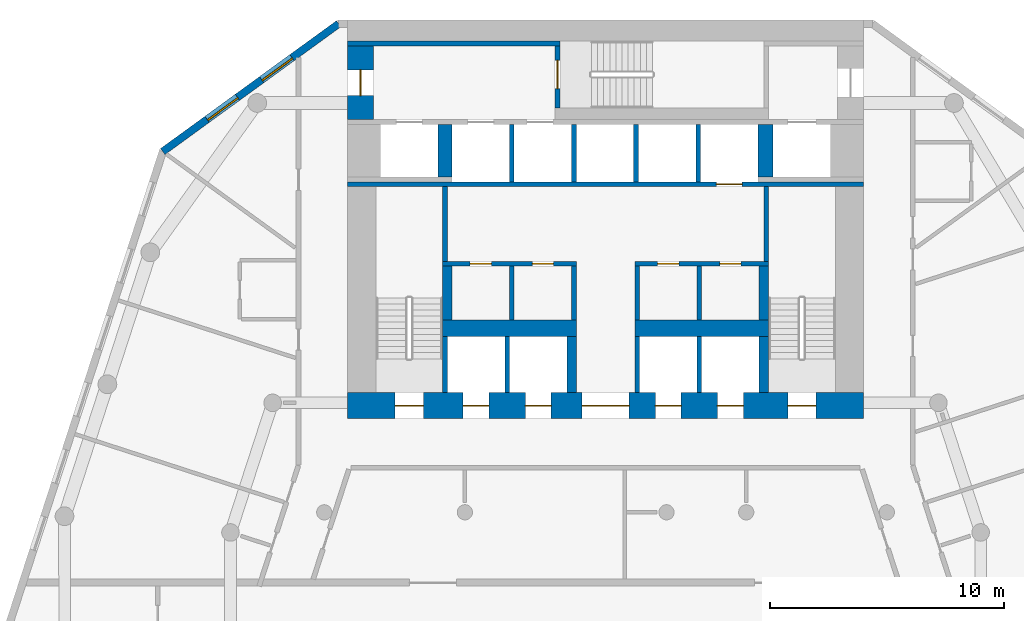
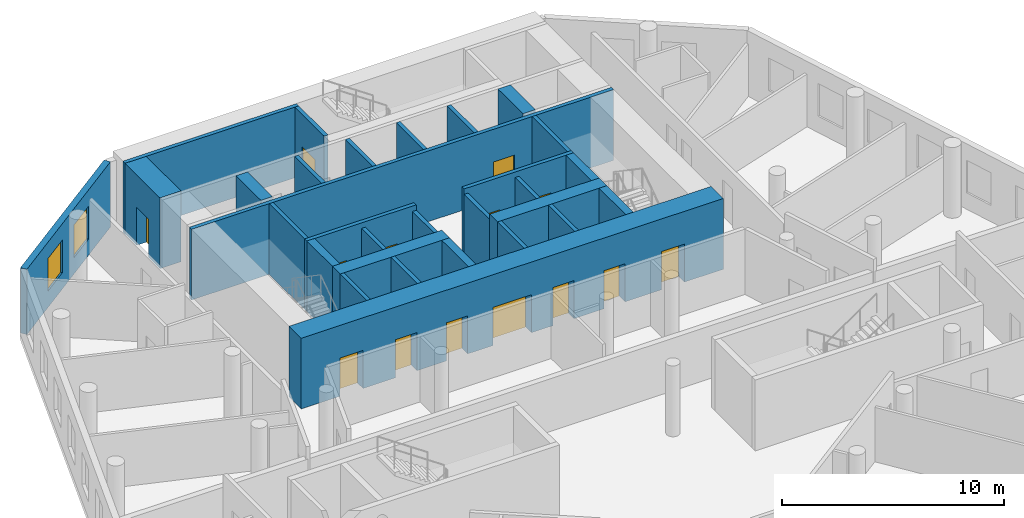
# One storey, part 5 of 9: 30 walls, 14 doors, 2 windows, 16 openings.
"""IFC4 building model written with IfcOpenShell, lengths in metres."""

from ifc_helpers import new_model, si_unit, direction, frame, frame_2d, origin, place, context, subcontext, project, spatial, rectangle, extrude, material, layer, layer_set, type_object, element, fill, save


model = new_model("IFC4")

# Units and contexts
model_context = context("Model", 3, precision=1e-05, world=origin(), true_north=direction((0.0, 1.0)))
body_context = subcontext(model_context, "Body", "Model", "MODEL_VIEW")
ifc_project = project(units=[si_unit("LENGTHUNIT", "METRE"), si_unit("AREAUNIT", "SQUARE_METRE"), si_unit("VOLUMEUNIT", "CUBIC_METRE"), si_unit("PLANEANGLEUNIT", "RADIAN"), si_unit("MASSUNIT", "GRAM", prefix="KILO")], contexts=[model_context])

# Site, building, storey
site_placement = place(None, origin())
site = spatial("IfcSite", under=ifc_project, at=site_placement, CompositionType="ELEMENT")
building_placement = place(site_placement, origin())
building = spatial("IfcBuilding", under=site, at=building_placement, Name="White Candle Pilgrim Tower", CompositionType="ELEMENT")
storey_placement = place(building_placement, frame((0.0, 0.0, 98.60009765625)))
storey = spatial("IfcBuildingStorey", under=building, at=storey_placement, Name="L21", CompositionType="ELEMENT", Elevation=98.60009765625)

# Wall, opening, door
ifc_material_1 = material(Name="Concrete C60/75", Category="concrete")
ifc_layer_1 = layer(ifc_material_1, 1.10009765625)
ifc_layer_set_1 = layer_set([ifc_layer_1], Name="Core wall 1100 mm Concrete C60/75")
wall_type_1 = type_object("IfcWallType", Name="Core wall 1100 mm Concrete C60/75", PredefinedType="SHEAR", material=ifc_layer_set_1)
wall_1_placement = place(storey_placement, frame((59.550048828125, 83.75, 0.0), z_axis=(0.0, 0.0, 1.0), x_axis=(0.0, 1.0, 0.0)))
wall_1 = element("IfcWall", 1, at=wall_1_placement, inside=storey, type_object=wall_type_1, Name="WL-L21-C44", PredefinedType="SHEAR", context=body_context, shape_type="SweptSolid", body=[
    extrude(rectangle(XDim=3.14990234375, YDim=1.10009765625, at=frame_2d((1.574951171875, 0.0))), origin(), (0.0, 0.0, 1.0), 3.89990234375),
])
opening_1_placement = place(wall_1_placement, frame((1.02490234375, 0.0, 0.0)))
opening_1 = element("IfcOpeningElement", 2, at=opening_1_placement, cuts=wall_1, Name="Opening T06-005", PredefinedType="OPENING", context=body_context, shape_type="SweptSolid", body=[
    extrude(rectangle(XDim=1.10009765625, YDim=2.10009765625, at=frame_2d((0.550048828125, 1.050048828125))), frame((0.0, 0.56005859375, 0.0), z_axis=(0.0, -1.0, 0.0), x_axis=(1.0, 0.0, 0.0)), (0.0, 0.0, 1.0), 1.1201171875),
])
ifc_material_2 = material(Name="Steel door leaf", Category="steel")
door_type_1 = type_object("IfcDoorType", Name="Fire door 1100 x 2100 EI 60", OperationType="NOTDEFINED", PredefinedType="DOOR", material=ifc_material_2)
door_1_placement = place(opening_1_placement, origin())
door_1 = element("IfcDoor", 3, at=door_1_placement, inside=storey, type_object=door_type_1, Name="Door T06-005", OperationType="SINGLE_SWING_LEFT", OverallHeight=2.10009765625, OverallWidth=1.10009765625, PredefinedType="DOOR", context=body_context, shape_type="SweptSolid", body=[
    extrude(rectangle(XDim=1.10009765625, YDim=2.10009765625, at=frame_2d((0.550048828125, 1.050048828125))), frame((0.0, 0.02490234375, 0.0), z_axis=(0.0, -1.0, 0.0), x_axis=(1.0, 0.0, 0.0)), (0.0, 0.0, 1.0), 0.050048828125),
])
fill(opening_1, door_1)

# Wall, openings, windows
ifc_material_3 = material(Name="Precast concrete C40/50", Category="concrete")
ifc_layer_2 = layer(ifc_material_3, 0.320068359375)
ifc_layer_set_2 = layer_set([ifc_layer_2], Name="Facade wall EW1 precast concrete C40/50 pier wall with timber-lined reveals")
wall_type_2 = type_object("IfcWallType", Name="Facade wall EW1 precast concrete C40/50 pier wall with timber-lined reveals", PredefinedType="SOLIDWALL", material=ifc_layer_set_2)
wall_2_placement = place(storey_placement, frame((58.614990234375, 87.840087890625, 0.0), z_axis=(0.0, 0.0, 1.0), x_axis=(-0.809009213142, -0.587795962092, 0.0)))
wall_2 = element("IfcWall", 4, at=wall_2_placement, inside=storey, type_object=wall_type_2, Name="Facade wall L21 NW chamfer", PredefinedType="SOLIDWALL", context=body_context, shape_type="SweptSolid", body=[
    extrude(rectangle(XDim=9.27392578125, YDim=0.320068359375, at=frame_2d((4.636962890625, 0.0))), origin(), (0.0, 0.0, 1.0), 3.599853515625),
])
opening_2_placement = place(wall_2_placement, frame((2.459716796875, 0.0, 0.89990234375)))
opening_2 = element("IfcOpeningElement", 5, at=opening_2_placement, cuts=wall_2, Name="Opening W2", PredefinedType="OPENING", context=body_context, shape_type="SweptSolid", body=[
    extrude(rectangle(XDim=1.60009765625, YDim=1.800048828125, at=frame_2d((0.800048828125, 0.89990234375))), frame((0.0, 0.169921875, 0.0), z_axis=(0.0, -1.0, 0.0), x_axis=(1.0, 0.0, 0.0)), (0.0, 0.0, 1.0), 0.340087890625),
])
opening_3_placement = place(wall_2_placement, frame((5.3369140625, 0.0, 0.89990234375)))
opening_3 = element("IfcOpeningElement", 6, at=opening_3_placement, cuts=wall_2, Name="Opening W2", PredefinedType="OPENING", context=body_context, shape_type="SweptSolid", body=[
    extrude(rectangle(XDim=1.60009765625, YDim=1.800048828125, at=frame_2d((0.800048828125, 0.89990234375))), frame((0.0, 0.169921875, 0.0), z_axis=(0.0, -1.0, 0.0), x_axis=(1.0, 0.0, 0.0)), (0.0, 0.0, 1.0), 0.340087890625),
])
ifc_material_4 = material(Name="Timber frame with triple glazing", Category="wood")
window_type = type_object("IfcWindowType", Name="Window W2 1600x1800 timber frame triple glazing", PartitioningType="SINGLE_PANEL", PredefinedType="WINDOW", material=ifc_material_4)
window_1_placement = place(opening_2_placement, origin())
window_1 = element("IfcWindow", 7, at=window_1_placement, inside=storey, type_object=window_type, Name="Window W2 L21 NW chamfer 1", OverallHeight=1.800048828125, OverallWidth=1.60009765625, PartitioningType="SINGLE_PANEL", PredefinedType="WINDOW", context=body_context, shape_type="SweptSolid", body=[
    extrude(rectangle(XDim=1.60009765625, YDim=1.800048828125, at=frame_2d((0.800048828125, 0.89990234375))), frame((0.0, 0.070068359375, 0.0), z_axis=(0.0, -1.0, 0.0), x_axis=(1.0, 0.0, 0.0)), (0.0, 0.0, 1.0), 0.06005859375),
])
fill(opening_2, window_1)
window_2_placement = place(opening_3_placement, origin())
window_2 = element("IfcWindow", 8, at=window_2_placement, inside=storey, type_object=window_type, Name="Window W2 L21 NW chamfer 2", OverallHeight=1.800048828125, OverallWidth=1.60009765625, PartitioningType="SINGLE_PANEL", PredefinedType="WINDOW", context=body_context, shape_type="SweptSolid", body=[
    extrude(rectangle(XDim=1.60009765625, YDim=1.800048828125, at=frame_2d((0.800048828125, 0.89990234375))), frame((0.0, 0.070068359375, 0.0), z_axis=(0.0, -1.0, 0.0), x_axis=(1.0, 0.0, 0.0)), (0.0, 0.0, 1.0), 0.06005859375),
])
fill(opening_3, window_2)

# Walls
ifc_material_5 = material(Name="Gypsum board on steel studs", Category="steel")
ifc_layer_3 = layer(ifc_material_5, 0.199951171875)
ifc_layer_set_3 = layer_set([ifc_layer_3], Name="Lobby wall 200 mm EI 60")
wall_type_3 = type_object("IfcWallType", Name="Lobby wall 200 mm EI 60", PredefinedType="PARTITIONING", material=ifc_layer_set_3)
for number, where, z_axis, x_axis, name in (
    (9, (66.0, 75.199951171875, 0.0), (0.0, 0.0, 1.0), (0.0, 1.0, 0.0), "WL-L21-C23"),
    (10, (68.64990234375, 75.199951171875, 0.0), (0.0, 0.0, 1.0), (0.0, 1.0, 0.0), "WL-L21-C24"),
    (11, (71.35009765625, 75.199951171875, 0.0), (0.0, 0.0, 1.0), (0.0, 1.0, 0.0), "WL-L21-C25"),
    (12, (74.0, 75.199951171875, 0.0), (0.0, 0.0, 1.0), (0.0, 1.0, 0.0), "WL-L21-C26"),
):
    element("IfcWall", number, at=place(storey_placement, frame(where, z_axis=z_axis, x_axis=x_axis)), inside=storey, type_object=wall_type_3, Name=name, PredefinedType="PARTITIONING", context=body_context, shape_type="SweptSolid", body=[
        extrude(rectangle(XDim=2.300048828125, YDim=0.199951171875, at=frame_2d((1.14990234375, 0.0))), origin(), (0.0, 0.0, 1.0), 3.599853515625),
    ])
ifc_layer_4 = layer(ifc_material_1, 0.199951171875)
ifc_layer_set_4 = layer_set([ifc_layer_4], Name="Shaft wall 200 mm Concrete C60/75")
wall_type_4 = type_object("IfcWallType", Name="Shaft wall 200 mm Concrete C60/75", PredefinedType="SHEAR", material=ifc_layer_set_4)
for number, where, z_axis, x_axis, name in (
    (13, (65.800048828125, 72.10009765625, 0.0), (0.0, 0.0, 1.0), (0.0, 1.0, 0.0), "WL-L21-C14"),
    (14, (71.35009765625, 72.10009765625, 0.0), (0.0, 0.0, 1.0), (0.0, 1.0, 0.0), "WL-L21-C16"),
    (15, (74.0, 72.10009765625, 0.0), (0.0, 0.0, 1.0), (0.0, 1.0, 0.0), "WL-L21-C17"),
):
    element("IfcWall", number, at=place(storey_placement, frame(where, z_axis=z_axis, x_axis=x_axis)), inside=storey, type_object=wall_type_4, Name=name, PredefinedType="SHEAR", context=body_context, shape_type="SweptSolid", body=[
        extrude(rectangle(XDim=2.39990234375, YDim=0.199951171875, at=frame_2d((1.199951171875, 0.0))), origin(), (0.0, 0.0, 1.0), 3.89990234375),
    ])
for number, where, z_axis, x_axis, name in (
    (16, (66.0, 81.10009765625, 0.0), (0.0, 0.0, 1.0), (0.0, 1.0, 0.0), "WL-L21-C34"),
    (17, (68.64990234375, 81.10009765625, 0.0), (0.0, 0.0, 1.0), (0.0, 1.0, 0.0), "WL-L21-C35"),
    (18, (71.300048828125, 81.10009765625, 0.0), (0.0, 0.0, 1.0), (0.0, 1.0, 0.0), "WL-L21-C36"),
    (19, (73.949951171875, 81.10009765625, 0.0), (0.0, 0.0, 1.0), (0.0, 1.0, 0.0), "WL-L21-C37"),
):
    element("IfcWall", number, at=place(storey_placement, frame(where, z_axis=z_axis, x_axis=x_axis)), inside=storey, type_object=wall_type_4, Name=name, PredefinedType="SHEAR", context=body_context, shape_type="SweptSolid", body=[
        extrude(rectangle(XDim=2.449951171875, YDim=0.199951171875, at=frame_2d((1.22509765625, 0.0))), origin(), (0.0, 0.0, 1.0), 3.89990234375),
    ])
ifc_layer_5 = layer(ifc_material_1, 0.39990234375)
ifc_layer_set_5 = layer_set([ifc_layer_5], Name="Shaft wall 400 mm Concrete C60/75")
wall_type_5 = type_object("IfcWallType", Name="Shaft wall 400 mm Concrete C60/75", PredefinedType="SHEAR", material=ifc_layer_set_5)
wall_3_placement = place(storey_placement, frame((68.550048828125, 72.10009765625, 0.0), z_axis=(0.0, 0.0, 1.0), x_axis=(0.0, 1.0, 0.0)))
element("IfcWall", 20, at=wall_3_placement, inside=storey, type_object=wall_type_5, Name="WL-L21-C15", PredefinedType="SHEAR", context=body_context, shape_type="SweptSolid", body=[
    extrude(rectangle(XDim=2.39990234375, YDim=0.39990234375, at=frame_2d((1.199951171875, 0.0))), origin(), (0.0, 0.0, 1.0), 3.89990234375),
])
ifc_layer_6 = layer(ifc_material_1, 0.60009765625)
ifc_layer_set_6 = layer_set([ifc_layer_6], Name="Shaft wall 600 mm Concrete C60/75")
wall_type_6 = type_object("IfcWallType", Name="Shaft wall 600 mm Concrete C60/75", PredefinedType="SHEAR", material=ifc_layer_set_6)
wall_4_placement = place(storey_placement, frame((63.14990234375, 81.300048828125, 0.0), z_axis=(0.0, 0.0, 1.0), x_axis=(0.0, 1.0, 0.0)))
element("IfcWall", 21, at=wall_4_placement, inside=storey, type_object=wall_type_6, Name="WL-L21-C40", PredefinedType="SHEAR", context=body_context, shape_type="SweptSolid", body=[
    extrude(rectangle(XDim=2.25, YDim=0.60009765625, at=frame_2d((1.125, 0.0))), origin(), (0.0, 0.0, 1.0), 3.89990234375),
])
ifc_layer_7 = layer(ifc_material_1, 0.64990234375)
ifc_layer_set_7 = layer_set([ifc_layer_7], Name="Shaft wall 650 mm Concrete C60/75")
wall_type_7 = type_object("IfcWallType", Name="Shaft wall 650 mm Concrete C60/75", PredefinedType="SHEAR", material=ifc_layer_set_7)
wall_5_placement = place(storey_placement, frame((76.824951171875, 81.300048828125, 0.0), z_axis=(0.0, 0.0, 1.0), x_axis=(0.0, 1.0, 0.0)))
element("IfcWall", 22, at=wall_5_placement, inside=storey, type_object=wall_type_7, Name="WL-L21-C41", PredefinedType="SHEAR", context=body_context, shape_type="SweptSolid", body=[
    extrude(rectangle(XDim=2.25, YDim=0.64990234375, at=frame_2d((1.125, 0.0))), origin(), (0.0, 0.0, 1.0), 3.89990234375),
])

# Wall, openings, doors
ifc_layer_8 = layer(ifc_material_1, 1.10009765625)
ifc_layer_set_8 = layer_set([ifc_layer_8], Name="Stair shaft wall 1100 mm Concrete C60/75")
wall_type_8 = type_object("IfcWallType", Name="Stair shaft wall 1100 mm Concrete C60/75", PredefinedType="SHEAR", material=ifc_layer_set_8)
wall_6_placement = place(storey_placement, frame((59.0, 71.550048828125, 0.0), z_axis=(0.0, 0.0, 1.0), x_axis=(1.0, 0.0, 0.0)))
wall_6 = element("IfcWall", 23, at=wall_6_placement, inside=storey, type_object=wall_type_8, Name="WL-L21-C11", PredefinedType="SHEAR", context=body_context, shape_type="SweptSolid", body=[
    extrude(rectangle(XDim=22.0, YDim=1.10009765625, at=frame_2d((11.0, 0.0))), origin(), (0.0, 0.0, 1.0), 3.89990234375),
])
opening_4_placement = place(wall_6_placement, frame((2.02490234375, 0.0, 0.0)))
opening_4 = element("IfcOpeningElement", 24, at=opening_4_placement, cuts=wall_6, Name="Opening T06-001", PredefinedType="OPENING", context=body_context, shape_type="SweptSolid", body=[
    extrude(rectangle(XDim=1.199951171875, YDim=2.10009765625, at=frame_2d((0.60009765625, 1.050048828125))), frame((0.0, 0.56005859375, 0.0), z_axis=(0.0, -1.0, 0.0), x_axis=(1.0, 0.0, 0.0)), (0.0, 0.0, 1.0), 1.1201171875),
])
opening_5_placement = place(wall_6_placement, frame((18.77490234375, 0.0, 0.0)))
opening_5 = element("IfcOpeningElement", 25, at=opening_5_placement, cuts=wall_6, Name="Opening T06-002", PredefinedType="OPENING", context=body_context, shape_type="SweptSolid", body=[
    extrude(rectangle(XDim=1.199951171875, YDim=2.10009765625, at=frame_2d((0.60009765625, 1.050048828125))), frame((0.0, 0.56005859375, 0.0), z_axis=(0.0, -1.0, 0.0), x_axis=(1.0, 0.0, 0.0)), (0.0, 0.0, 1.0), 1.1201171875),
])
opening_6_placement = place(wall_6_placement, frame((10.0, 0.0, 0.0)))
opening_6 = element("IfcOpeningElement", 26, at=opening_6_placement, cuts=wall_6, Name="Opening T06-004", PredefinedType="OPENING", context=body_context, shape_type="SweptSolid", body=[
    extrude(rectangle(XDim=2.0, YDim=2.10009765625, at=frame_2d((1.0, 1.050048828125))), frame((0.0, 0.56005859375, 0.0), z_axis=(0.0, -1.0, 0.0), x_axis=(1.0, 0.0, 0.0)), (0.0, 0.0, 1.0), 1.1201171875),
])
opening_7_placement = place(wall_6_placement, frame((4.925048828125, 0.0, 0.0)))
opening_7 = element("IfcOpeningElement", 27, at=opening_7_placement, cuts=wall_6, Name="Opening T06-014", PredefinedType="OPENING", context=body_context, shape_type="SweptSolid", body=[
    extrude(rectangle(XDim=1.10009765625, YDim=2.10009765625, at=frame_2d((0.550048828125, 1.050048828125))), frame((0.0, 0.56005859375, 0.0), z_axis=(0.0, -1.0, 0.0), x_axis=(1.0, 0.0, 0.0)), (0.0, 0.0, 1.0), 1.1201171875),
])
opening_8_placement = place(wall_6_placement, frame((7.574951171875, 0.0, 0.0)))
opening_8 = element("IfcOpeningElement", 28, at=opening_8_placement, cuts=wall_6, Name="Opening T06-015", PredefinedType="OPENING", context=body_context, shape_type="SweptSolid", body=[
    extrude(rectangle(XDim=1.10009765625, YDim=2.10009765625, at=frame_2d((0.550048828125, 1.050048828125))), frame((0.0, 0.56005859375, 0.0), z_axis=(0.0, -1.0, 0.0), x_axis=(1.0, 0.0, 0.0)), (0.0, 0.0, 1.0), 1.1201171875),
])
opening_9_placement = place(wall_6_placement, frame((13.125, 0.0, 0.0)))
opening_9 = element("IfcOpeningElement", 29, at=opening_9_placement, cuts=wall_6, Name="Opening T06-016", PredefinedType="OPENING", context=body_context, shape_type="SweptSolid", body=[
    extrude(rectangle(XDim=1.10009765625, YDim=2.10009765625, at=frame_2d((0.550048828125, 1.050048828125))), frame((0.0, 0.56005859375, 0.0), z_axis=(0.0, -1.0, 0.0), x_axis=(1.0, 0.0, 0.0)), (0.0, 0.0, 1.0), 1.1201171875),
])
opening_10_placement = place(wall_6_placement, frame((15.77490234375, 0.0, 0.0)))
opening_10 = element("IfcOpeningElement", 30, at=opening_10_placement, cuts=wall_6, Name="Opening T06-017", PredefinedType="OPENING", context=body_context, shape_type="SweptSolid", body=[
    extrude(rectangle(XDim=1.10009765625, YDim=2.10009765625, at=frame_2d((0.550048828125, 1.050048828125))), frame((0.0, 0.56005859375, 0.0), z_axis=(0.0, -1.0, 0.0), x_axis=(1.0, 0.0, 0.0)), (0.0, 0.0, 1.0), 1.1201171875),
])
door_type_2 = type_object("IfcDoorType", Name="Fire door 1200 x 2100 EI 60", OperationType="NOTDEFINED", PredefinedType="DOOR", material=ifc_material_2)
door_2_placement = place(opening_4_placement, frame((1.199951171875, 0.0, 0.0), z_axis=(0.0, 0.0, 1.0), x_axis=(-1.0, 0.0, 0.0)))
door_2 = element("IfcDoor", 31, at=door_2_placement, inside=storey, type_object=door_type_2, Name="Door T06-001", OperationType="SINGLE_SWING_RIGHT", OverallHeight=2.10009765625, OverallWidth=1.199951171875, PredefinedType="DOOR", context=body_context, shape_type="SweptSolid", body=[
    extrude(rectangle(XDim=1.199951171875, YDim=2.10009765625, at=frame_2d((0.60009765625, 1.050048828125))), frame((0.0, 0.02490234375, 0.0), z_axis=(0.0, -1.0, 0.0), x_axis=(1.0, 0.0, 0.0)), (0.0, 0.0, 1.0), 0.050048828125),
])
fill(opening_4, door_2)
door_3_placement = place(opening_5_placement, frame((1.199951171875, 0.0, 0.0), z_axis=(0.0, 0.0, 1.0), x_axis=(-1.0, 0.0, 0.0)))
door_3 = element("IfcDoor", 32, at=door_3_placement, inside=storey, type_object=door_type_2, Name="Door T06-002", OperationType="SINGLE_SWING_LEFT", OverallHeight=2.10009765625, OverallWidth=1.199951171875, PredefinedType="DOOR", context=body_context, shape_type="SweptSolid", body=[
    extrude(rectangle(XDim=1.199951171875, YDim=2.10009765625, at=frame_2d((0.60009765625, 1.050048828125))), frame((0.0, 0.02490234375, 0.0), z_axis=(0.0, -1.0, 0.0), x_axis=(1.0, 0.0, 0.0)), (0.0, 0.0, 1.0), 0.050048828125),
])
fill(opening_5, door_3)
door_type_3 = type_object("IfcDoorType", Name="Fire door 2000 x 2100 EI 60", OperationType="NOTDEFINED", PredefinedType="DOOR", material=ifc_material_2)
door_4_placement = place(opening_6_placement, frame((2.0, 0.0, 0.0), z_axis=(0.0, 0.0, 1.0), x_axis=(-1.0, 0.0, 0.0)))
door_4 = element("IfcDoor", 33, at=door_4_placement, inside=storey, type_object=door_type_3, Name="Door T06-004", OperationType="DOUBLE_DOOR_SINGLE_SWING", OverallHeight=2.10009765625, OverallWidth=2.0, PredefinedType="DOOR", context=body_context, shape_type="SweptSolid", body=[
    extrude(rectangle(XDim=2.0, YDim=2.10009765625, at=frame_2d((1.0, 1.050048828125))), frame((0.0, 0.02490234375, 0.0), z_axis=(0.0, -1.0, 0.0), x_axis=(1.0, 0.0, 0.0)), (0.0, 0.0, 1.0), 0.050048828125),
])
fill(opening_6, door_4)
ifc_material_6 = material(Name="Stainless steel", Category="steel")
door_type_4 = type_object("IfcDoorType", Name="Lift landing door 1100 x 2100 E 60", OperationType="DOUBLE_DOOR_SLIDING", PredefinedType="DOOR", material=ifc_material_6)
door_5_placement = place(opening_7_placement, origin())
door_5 = element("IfcDoor", 34, at=door_5_placement, inside=storey, type_object=door_type_4, Name="Door T06-014", OperationType="DOUBLE_DOOR_SLIDING", OverallHeight=2.10009765625, OverallWidth=1.10009765625, PredefinedType="DOOR", context=body_context, shape_type="SweptSolid", body=[
    extrude(rectangle(XDim=1.10009765625, YDim=2.10009765625, at=frame_2d((0.550048828125, 1.050048828125))), frame((0.0, 0.02490234375, 0.0), z_axis=(0.0, -1.0, 0.0), x_axis=(1.0, 0.0, 0.0)), (0.0, 0.0, 1.0), 0.050048828125),
])
fill(opening_7, door_5)
door_6_placement = place(opening_8_placement, origin())
door_6 = element("IfcDoor", 35, at=door_6_placement, inside=storey, type_object=door_type_4, Name="Door T06-015", OperationType="DOUBLE_DOOR_SLIDING", OverallHeight=2.10009765625, OverallWidth=1.10009765625, PredefinedType="DOOR", context=body_context, shape_type="SweptSolid", body=[
    extrude(rectangle(XDim=1.10009765625, YDim=2.10009765625, at=frame_2d((0.550048828125, 1.050048828125))), frame((0.0, 0.02490234375, 0.0), z_axis=(0.0, -1.0, 0.0), x_axis=(1.0, 0.0, 0.0)), (0.0, 0.0, 1.0), 0.050048828125),
])
fill(opening_8, door_6)
door_7_placement = place(opening_9_placement, origin())
door_7 = element("IfcDoor", 36, at=door_7_placement, inside=storey, type_object=door_type_4, Name="Door T06-016", OperationType="DOUBLE_DOOR_SLIDING", OverallHeight=2.10009765625, OverallWidth=1.10009765625, PredefinedType="DOOR", context=body_context, shape_type="SweptSolid", body=[
    extrude(rectangle(XDim=1.10009765625, YDim=2.10009765625, at=frame_2d((0.550048828125, 1.050048828125))), frame((0.0, 0.02490234375, 0.0), z_axis=(0.0, -1.0, 0.0), x_axis=(1.0, 0.0, 0.0)), (0.0, 0.0, 1.0), 0.050048828125),
])
fill(opening_9, door_7)
door_8_placement = place(opening_10_placement, origin())
door_8 = element("IfcDoor", 37, at=door_8_placement, inside=storey, type_object=door_type_4, Name="Door T06-017", OperationType="DOUBLE_DOOR_SLIDING", OverallHeight=2.10009765625, OverallWidth=1.10009765625, PredefinedType="DOOR", context=body_context, shape_type="SweptSolid", body=[
    extrude(rectangle(XDim=1.10009765625, YDim=2.10009765625, at=frame_2d((0.550048828125, 1.050048828125))), frame((0.0, 0.02490234375, 0.0), z_axis=(0.0, -1.0, 0.0), x_axis=(1.0, 0.0, 0.0)), (0.0, 0.0, 1.0), 0.050048828125),
])
fill(opening_10, door_8)

# Wall
ifc_layer_9 = layer(ifc_material_1, 0.199951171875)
ifc_layer_set_9 = layer_set([ifc_layer_9], Name="Stair shaft wall 200 mm Concrete C60/75")
wall_type_9 = type_object("IfcWallType", Name="Stair shaft wall 200 mm Concrete C60/75", PredefinedType="SHEAR", material=ifc_layer_set_9)
wall_7_placement = place(storey_placement, frame((63.14990234375, 72.10009765625, 0.0), z_axis=(0.0, 0.0, 1.0), x_axis=(0.0, 1.0, 0.0)))
element("IfcWall", 38, at=wall_7_placement, inside=storey, type_object=wall_type_9, Name="WL-L21-C13", PredefinedType="SHEAR", context=body_context, shape_type="SweptSolid", body=[
    extrude(rectangle(XDim=2.39990234375, YDim=0.199951171875, at=frame_2d((1.199951171875, 0.0))), origin(), (0.0, 0.0, 1.0), 3.89990234375),
])

# Wall, openings, doors
wall_8_placement = place(storey_placement, frame((63.050048828125, 77.60009765625, 0.0), z_axis=(0.0, 0.0, 1.0), x_axis=(1.0, 0.0, 0.0)))
wall_8 = element("IfcWall", 39, at=wall_8_placement, inside=storey, type_object=wall_type_9, Name="WL-L21-C28", PredefinedType="SHEAR", context=body_context, shape_type="SweptSolid", body=[
    extrude(rectangle(XDim=5.699951171875, YDim=0.199951171875, at=frame_2d((2.85009765625, 0.0))), origin(), (0.0, 0.0, 1.0), 3.89990234375),
])
opening_11_placement = place(wall_8_placement, frame((1.175048828125, 0.0, 0.0)))
opening_11 = element("IfcOpeningElement", 40, at=opening_11_placement, cuts=wall_8, Name="Opening T06-020", PredefinedType="OPENING", context=body_context, shape_type="SweptSolid", body=[
    extrude(rectangle(XDim=0.89990234375, YDim=2.10009765625, at=frame_2d((0.449951171875, 1.050048828125))), frame((0.0, 0.10986328125, 0.0), z_axis=(0.0, -1.0, 0.0), x_axis=(1.0, 0.0, 0.0)), (0.0, 0.0, 1.0), 0.219970703125),
])
opening_12_placement = place(wall_8_placement, frame((3.824951171875, 0.0, 0.0)))
opening_12 = element("IfcOpeningElement", 41, at=opening_12_placement, cuts=wall_8, Name="Opening T06-021", PredefinedType="OPENING", context=body_context, shape_type="SweptSolid", body=[
    extrude(rectangle(XDim=0.89990234375, YDim=2.10009765625, at=frame_2d((0.449951171875, 1.050048828125))), frame((0.0, 0.10986328125, 0.0), z_axis=(0.0, -1.0, 0.0), x_axis=(1.0, 0.0, 0.0)), (0.0, 0.0, 1.0), 0.219970703125),
])
door_type_5 = type_object("IfcDoorType", Name="Fire door 900 x 2100 EI 30", OperationType="NOTDEFINED", PredefinedType="DOOR", material=ifc_material_2)
door_9_placement = place(opening_11_placement, origin())
door_9 = element("IfcDoor", 42, at=door_9_placement, inside=storey, type_object=door_type_5, Name="Door T06-020", OperationType="SINGLE_SWING_RIGHT", OverallHeight=2.10009765625, OverallWidth=0.89990234375, PredefinedType="DOOR", context=body_context, shape_type="SweptSolid", body=[
    extrude(rectangle(XDim=0.89990234375, YDim=2.10009765625, at=frame_2d((0.449951171875, 1.050048828125))), frame((0.0, 0.02490234375, 0.0), z_axis=(0.0, -1.0, 0.0), x_axis=(1.0, 0.0, 0.0)), (0.0, 0.0, 1.0), 0.050048828125),
])
fill(opening_11, door_9)
door_10_placement = place(opening_12_placement, origin())
door_10 = element("IfcDoor", 43, at=door_10_placement, inside=storey, type_object=door_type_5, Name="Door T06-021", OperationType="SINGLE_SWING_LEFT", OverallHeight=2.10009765625, OverallWidth=0.89990234375, PredefinedType="DOOR", context=body_context, shape_type="SweptSolid", body=[
    extrude(rectangle(XDim=0.89990234375, YDim=2.10009765625, at=frame_2d((0.449951171875, 1.050048828125))), frame((0.0, 0.02490234375, 0.0), z_axis=(0.0, -1.0, 0.0), x_axis=(1.0, 0.0, 0.0)), (0.0, 0.0, 1.0), 0.050048828125),
])
fill(opening_12, door_10)

wall_9_placement = place(storey_placement, frame((71.25, 77.60009765625, 0.0), z_axis=(0.0, 0.0, 1.0), x_axis=(1.0, 0.0, 0.0)))
wall_9 = element("IfcWall", 44, at=wall_9_placement, inside=storey, type_object=wall_type_9, Name="WL-L21-C29", PredefinedType="SHEAR", context=body_context, shape_type="SweptSolid", body=[
    extrude(rectangle(XDim=5.699951171875, YDim=0.199951171875, at=frame_2d((2.85009765625, 0.0))), origin(), (0.0, 0.0, 1.0), 3.89990234375),
])
opening_13_placement = place(wall_9_placement, frame((0.97509765625, 0.0, 0.0)))
opening_13 = element("IfcOpeningElement", 45, at=opening_13_placement, cuts=wall_9, Name="Opening T06-022", PredefinedType="OPENING", context=body_context, shape_type="SweptSolid", body=[
    extrude(rectangle(XDim=0.89990234375, YDim=2.10009765625, at=frame_2d((0.449951171875, 1.050048828125))), frame((0.0, 0.10986328125, 0.0), z_axis=(0.0, -1.0, 0.0), x_axis=(1.0, 0.0, 0.0)), (0.0, 0.0, 1.0), 0.219970703125),
])
opening_14_placement = place(wall_9_placement, frame((3.625, 0.0, 0.0)))
opening_14 = element("IfcOpeningElement", 46, at=opening_14_placement, cuts=wall_9, Name="Opening T06-023", PredefinedType="OPENING", context=body_context, shape_type="SweptSolid", body=[
    extrude(rectangle(XDim=0.89990234375, YDim=2.10009765625, at=frame_2d((0.449951171875, 1.050048828125))), frame((0.0, 0.10986328125, 0.0), z_axis=(0.0, -1.0, 0.0), x_axis=(1.0, 0.0, 0.0)), (0.0, 0.0, 1.0), 0.219970703125),
])
door_11_placement = place(opening_13_placement, origin())
door_11 = element("IfcDoor", 47, at=door_11_placement, inside=storey, type_object=door_type_5, Name="Door T06-022", OperationType="SINGLE_SWING_RIGHT", OverallHeight=2.10009765625, OverallWidth=0.89990234375, PredefinedType="DOOR", context=body_context, shape_type="SweptSolid", body=[
    extrude(rectangle(XDim=0.89990234375, YDim=2.10009765625, at=frame_2d((0.449951171875, 1.050048828125))), frame((0.0, 0.02490234375, 0.0), z_axis=(0.0, -1.0, 0.0), x_axis=(1.0, 0.0, 0.0)), (0.0, 0.0, 1.0), 0.050048828125),
])
fill(opening_13, door_11)
door_12_placement = place(opening_14_placement, origin())
door_12 = element("IfcDoor", 48, at=door_12_placement, inside=storey, type_object=door_type_5, Name="Door T06-023", OperationType="SINGLE_SWING_LEFT", OverallHeight=2.10009765625, OverallWidth=0.89990234375, PredefinedType="DOOR", context=body_context, shape_type="SweptSolid", body=[
    extrude(rectangle(XDim=0.89990234375, YDim=2.10009765625, at=frame_2d((0.449951171875, 1.050048828125))), frame((0.0, 0.02490234375, 0.0), z_axis=(0.0, -1.0, 0.0), x_axis=(1.0, 0.0, 0.0)), (0.0, 0.0, 1.0), 0.050048828125),
])
fill(opening_14, door_12)

# Walls
for number, where, z_axis, x_axis, name in (
    (49, (63.14990234375, 77.699951171875, 0.0), (0.0, 0.0, 1.0), (0.0, 1.0, 0.0), "WL-L21-C30"),
    (50, (76.85009765625, 77.699951171875, 0.0), (0.0, 0.0, 1.0), (0.0, 1.0, 0.0), "WL-L21-C31"),
):
    element("IfcWall", number, at=place(storey_placement, frame(where, z_axis=z_axis, x_axis=x_axis)), inside=storey, type_object=wall_type_9, Name=name, PredefinedType="SHEAR", context=body_context, shape_type="SweptSolid", body=[
        extrude(rectangle(XDim=3.199951171875, YDim=0.199951171875, at=frame_2d((1.60009765625, 0.0))), origin(), (0.0, 0.0, 1.0), 3.89990234375),
    ])

# Wall, opening, door
wall_10_placement = place(storey_placement, frame((59.0, 81.0, 0.0), z_axis=(0.0, 0.0, 1.0), x_axis=(1.0, 0.0, 0.0)))
wall_10 = element("IfcWall", 51, at=wall_10_placement, inside=storey, type_object=wall_type_9, Name="WL-L21-C32", PredefinedType="SHEAR", context=body_context, shape_type="SweptSolid", body=[
    extrude(rectangle(XDim=22.0, YDim=0.199951171875, at=frame_2d((11.0, 0.0))), origin(), (0.0, 0.0, 1.0), 3.89990234375),
])
opening_15_placement = place(wall_10_placement, frame((15.72509765625, 0.0, 0.0)))
opening_15 = element("IfcOpeningElement", 52, at=opening_15_placement, cuts=wall_10, Name="Opening T06-013", PredefinedType="OPENING", context=body_context, shape_type="SweptSolid", body=[
    extrude(rectangle(XDim=1.10009765625, YDim=2.10009765625, at=frame_2d((0.550048828125, 1.050048828125))), frame((0.0, 0.10986328125, 0.0), z_axis=(0.0, -1.0, 0.0), x_axis=(1.0, 0.0, 0.0)), (0.0, 0.0, 1.0), 0.219970703125),
])
door_13_placement = place(opening_15_placement, origin())
door_13 = element("IfcDoor", 53, at=door_13_placement, inside=storey, type_object=door_type_4, Name="Door T06-013", OperationType="DOUBLE_DOOR_SLIDING", OverallHeight=2.10009765625, OverallWidth=1.10009765625, PredefinedType="DOOR", context=body_context, shape_type="SweptSolid", body=[
    extrude(rectangle(XDim=1.10009765625, YDim=2.10009765625, at=frame_2d((0.550048828125, 1.050048828125))), frame((0.0, 0.02490234375, 0.0), z_axis=(0.0, -1.0, 0.0), x_axis=(1.0, 0.0, 0.0)), (0.0, 0.0, 1.0), 0.050048828125),
])
fill(opening_15, door_13)

wall_11_placement = place(storey_placement, frame((67.949951171875, 84.25, 0.0), z_axis=(0.0, 0.0, 1.0), x_axis=(0.0, 1.0, 0.0)))
wall_11 = element("IfcWall", 54, at=wall_11_placement, inside=storey, type_object=wall_type_9, Name="WL-L21-C47", PredefinedType="SHEAR", context=body_context, shape_type="SweptSolid", body=[
    extrude(rectangle(XDim=2.64990234375, YDim=0.199951171875, at=frame_2d((1.324951171875, 0.0))), origin(), (0.0, 0.0, 1.0), 3.89990234375),
])
opening_16_placement = place(wall_11_placement, frame((0.824951171875, 0.0, 0.0)))
opening_16 = element("IfcOpeningElement", 55, at=opening_16_placement, cuts=wall_11, Name="Opening T06-003", PredefinedType="OPENING", context=body_context, shape_type="SweptSolid", body=[
    extrude(rectangle(XDim=1.199951171875, YDim=2.10009765625, at=frame_2d((0.60009765625, 1.050048828125))), frame((0.0, 0.10986328125, 0.0), z_axis=(0.0, -1.0, 0.0), x_axis=(1.0, 0.0, 0.0)), (0.0, 0.0, 1.0), 0.219970703125),
])
door_14_placement = place(opening_16_placement, frame((1.199951171875, 0.0, 0.0), z_axis=(0.0, 0.0, 1.0), x_axis=(-1.0, 0.0, 0.0)))
door_14 = element("IfcDoor", 56, at=door_14_placement, inside=storey, type_object=door_type_2, Name="Door T06-003", OperationType="SINGLE_SWING_RIGHT", OverallHeight=2.10009765625, OverallWidth=1.199951171875, PredefinedType="DOOR", context=body_context, shape_type="SweptSolid", body=[
    extrude(rectangle(XDim=1.199951171875, YDim=2.10009765625, at=frame_2d((0.60009765625, 1.050048828125))), frame((0.0, 0.02490234375, 0.0), z_axis=(0.0, -1.0, 0.0), x_axis=(1.0, 0.0, 0.0)), (0.0, 0.0, 1.0), 0.050048828125),
])
fill(opening_16, door_14)

# Walls
wall_12_placement = place(storey_placement, frame((59.0, 87.0, 0.0), z_axis=(0.0, 0.0, 1.0), x_axis=(1.0, 0.0, 0.0)))
element("IfcWall", 57, at=wall_12_placement, inside=storey, type_object=wall_type_9, Name="WL-L21-C49", PredefinedType="SHEAR", context=body_context, shape_type="SweptSolid", body=[
    extrude(rectangle(XDim=9.050048828125, YDim=0.199951171875, at=frame_2d((4.52490234375, 0.0))), origin(), (0.0, 0.0, 1.0), 3.89990234375),
])
ifc_layer_10 = layer(ifc_material_1, 0.39990234375)
ifc_layer_set_10 = layer_set([ifc_layer_10], Name="Stair shaft wall 400 mm Concrete C60/75")
wall_type_10 = type_object("IfcWallType", Name="Stair shaft wall 400 mm Concrete C60/75", PredefinedType="SHEAR", material=ifc_layer_set_10)
wall_13_placement = place(storey_placement, frame((76.75, 72.10009765625, 0.0), z_axis=(0.0, 0.0, 1.0), x_axis=(0.0, 1.0, 0.0)))
element("IfcWall", 58, at=wall_13_placement, inside=storey, type_object=wall_type_10, Name="WL-L21-C18", PredefinedType="SHEAR", context=body_context, shape_type="SweptSolid", body=[
    extrude(rectangle(XDim=2.39990234375, YDim=0.39990234375, at=frame_2d((1.199951171875, 0.0))), origin(), (0.0, 0.0, 1.0), 3.89990234375),
])
for number, where, z_axis, x_axis, name in (
    (59, (63.25, 75.199951171875, 0.0), (0.0, 0.0, 1.0), (0.0, 1.0, 0.0), "WL-L21-C22"),
    (60, (76.75, 75.199951171875, 0.0), (0.0, 0.0, 1.0), (0.0, 1.0, 0.0), "WL-L21-C27"),
):
    element("IfcWall", number, at=place(storey_placement, frame(where, z_axis=z_axis, x_axis=x_axis)), inside=storey, type_object=wall_type_10, Name=name, PredefinedType="SHEAR", context=body_context, shape_type="SweptSolid", body=[
        extrude(rectangle(XDim=2.300048828125, YDim=0.39990234375, at=frame_2d((1.14990234375, 0.0))), origin(), (0.0, 0.0, 1.0), 3.89990234375),
    ])
ifc_layer_11 = layer(ifc_material_1, 0.699951171875)
ifc_layer_set_11 = layer_set([ifc_layer_11], Name="Stair shaft wall 700 mm Concrete C60/75")
wall_type_11 = type_object("IfcWallType", Name="Stair shaft wall 700 mm Concrete C60/75", PredefinedType="SHEAR", material=ifc_layer_set_11)
for number, where, z_axis, x_axis, name in (
    (61, (63.050048828125, 74.85009765625, 0.0), (0.0, 0.0, 1.0), (1.0, 0.0, 0.0), "WL-L21-C20"),
    (62, (71.25, 74.85009765625, 0.0), (0.0, 0.0, 1.0), (1.0, 0.0, 0.0), "WL-L21-C21"),
):
    element("IfcWall", number, at=place(storey_placement, frame(where, z_axis=z_axis, x_axis=x_axis)), inside=storey, type_object=wall_type_11, Name=name, PredefinedType="SHEAR", context=body_context, shape_type="SweptSolid", body=[
        extrude(rectangle(XDim=5.699951171875, YDim=0.699951171875, at=frame_2d((2.85009765625, 0.0))), origin(), (0.0, 0.0, 1.0), 3.89990234375),
    ])

save(model, "model.ifc")
